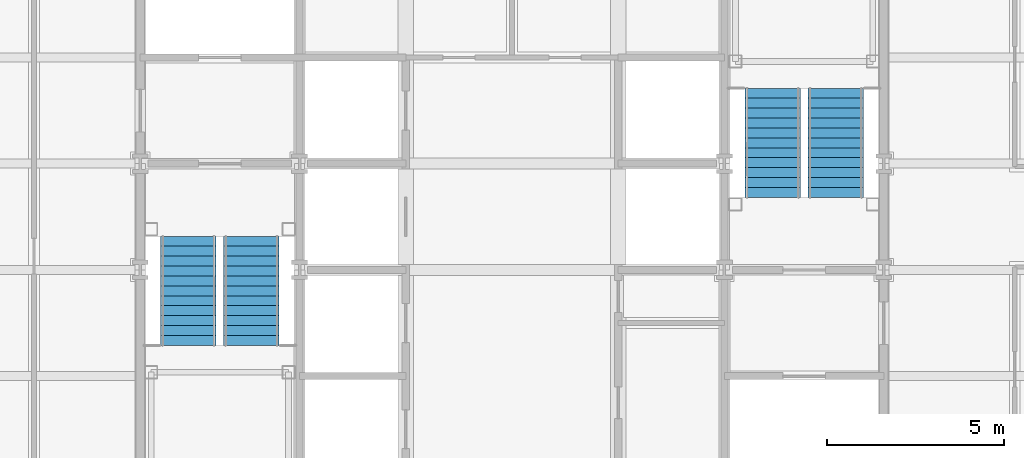
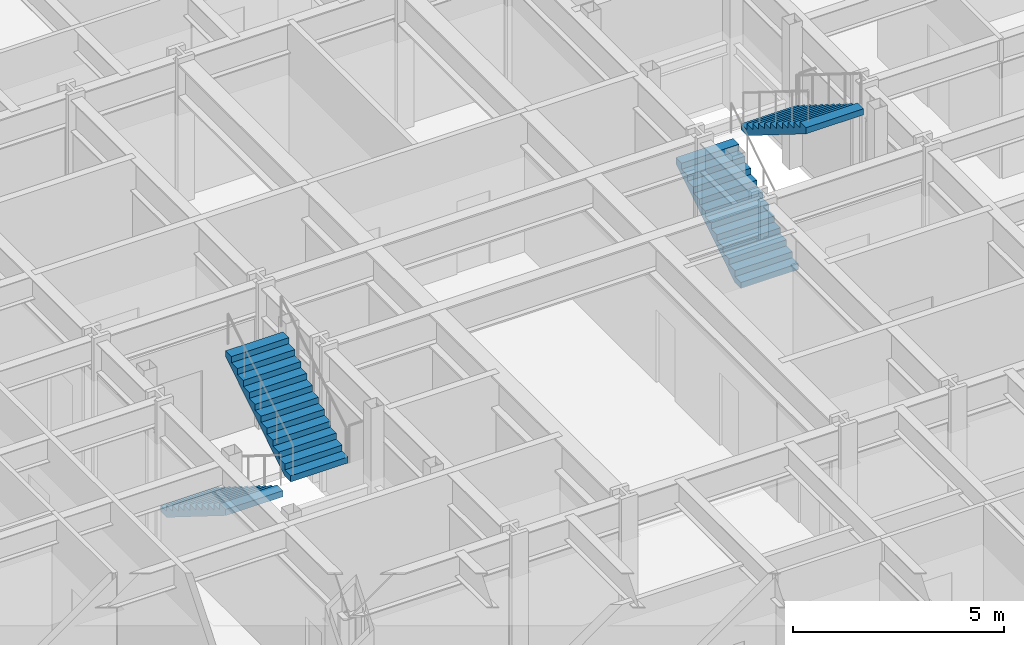
# One storey, part 13 of 15: 4 stair flights, 2 elements without a shape of their own.
"""IFC4 building model written with IfcOpenShell, lengths in metres."""

from ifc_helpers import new_model, si_unit, direction, frame, origin, place, context, subcontext, project, spatial, faceted_brep, material, type_object, element, aggregate, save


model = new_model("IFC4")

# Units and contexts
model_context = context("Model", 3, precision=1e-05, world=origin(), true_north=direction((0.0, 1.0)))
body_context = subcontext(model_context, "Body", "Model", "MODEL_VIEW")
ifc_project = project(units=[si_unit("LENGTHUNIT", "METRE"), si_unit("AREAUNIT", "SQUARE_METRE"), si_unit("VOLUMEUNIT", "CUBIC_METRE"), si_unit("PLANEANGLEUNIT", "RADIAN"), si_unit("MASSUNIT", "GRAM", prefix="KILO")], contexts=[model_context])

# Site, building, storey
site_placement = place(None, origin())
site = spatial("IfcSite", under=ifc_project, at=site_placement, CompositionType="ELEMENT")
building_placement = place(site_placement, origin())
building = spatial("IfcBuilding", under=site, at=building_placement, Name="Chuquiago Exchange Tower", CompositionType="ELEMENT")
storey_placement = place(building_placement, frame((0.0, 0.0, 274.800048828125)))
storey = spatial("IfcBuildingStorey", under=building, at=storey_placement, Name="L61", CompositionType="ELEMENT", Elevation=274.800048828125)

# Stair, stair flights
ifc_material_1 = material(Name="Concrete C30/37, precast", Category="concrete")
stair_type_1 = type_object("IfcStairType", Name="ST1 half-turn stair 4200", PredefinedType="HALF_TURN_STAIR", material=ifc_material_1)
stair_1_placement = place(storey_placement, origin())
stair_1 = element("IfcStair", 1, at=stair_1_placement, inside=storey, type_object=stair_type_1, Name="Stair ST1 L61", PredefinedType="HALF_TURN_STAIR")
ifc_material_2 = material(Name="Concrete C30/37, precast", Category="concrete")
stair_flight_type = type_object("IfcStairFlightType", Name="ST-F flight 1570 for 4200 storey", PredefinedType="STRAIGHT", material=ifc_material_2)
stair_flight_1_placement = place(storey_placement, frame((13.360107421875, 21.949951171875, 0.0), z_axis=(0.0, 0.0, 1.0), x_axis=(0.0, -1.0, 0.0)))
stair_flight_1 = element("IfcStairFlight", 2, at=stair_flight_1_placement, type_object=stair_flight_type, Name="ST1 flight 1", NumberOfRisers=12, NumberOfTreads=11, PredefinedType="STRAIGHT", RiserHeight=0.175, TreadLength=0.28, context=body_context, shape_type="Brep", body=[
    faceted_brep([(0.0, 0.78515625, 0.0), (0.0, 0.78515625, 0.175048828125), (0.280029296875, 0.78515625, 0.175048828125), (0.280029296875, 0.78515625, 0.35009765625), (0.56005859375, 0.78515625, 0.35009765625), (0.56005859375, 0.78515625, 0.52490234375), (0.840087890625, 0.78515625, 0.52490234375), (0.840087890625, 0.78515625, 0.699951171875), (1.1201171875, 0.78515625, 0.699951171875), (1.1201171875, 0.78515625, 0.875), (1.39990234375, 0.78515625, 0.875), (1.39990234375, 0.78515625, 1.050048828125), (1.679931640625, 0.78515625, 1.050048828125), (1.679931640625, 0.78515625, 1.22509765625), (1.9599609375, 0.78515625, 1.22509765625), (1.9599609375, 0.78515625, 1.39990234375), (2.239990234375, 0.78515625, 1.39990234375), (2.239990234375, 0.78515625, 1.574951171875), (2.52001953125, 0.78515625, 1.574951171875), (2.52001953125, 0.78515625, 1.75), (2.800048828125, 0.78515625, 1.75), (2.800048828125, 0.78515625, 1.925048828125), (3.080078125, 0.78515625, 1.925048828125), (3.080078125, 0.78515625, 1.748291015625), (0.28271484375, 0.78515625, 0.0), (0.28271484375, -0.78515625, 0.0), (3.080078125, -0.78515625, 1.748291015625), (3.080078125, -0.78515625, 1.925048828125), (2.800048828125, -0.78515625, 1.925048828125), (2.800048828125, -0.78515625, 1.75), (2.52001953125, -0.78515625, 1.75), (2.52001953125, -0.78515625, 1.574951171875), (2.239990234375, -0.78515625, 1.574951171875), (2.239990234375, -0.78515625, 1.39990234375), (1.9599609375, -0.78515625, 1.39990234375), (1.9599609375, -0.78515625, 1.22509765625), (1.679931640625, -0.78515625, 1.22509765625), (1.679931640625, -0.78515625, 1.050048828125), (1.39990234375, -0.78515625, 1.050048828125), (1.39990234375, -0.78515625, 0.875), (1.1201171875, -0.78515625, 0.875), (1.1201171875, -0.78515625, 0.699951171875), (0.840087890625, -0.78515625, 0.699951171875), (0.840087890625, -0.78515625, 0.52490234375), (0.56005859375, -0.78515625, 0.52490234375), (0.56005859375, -0.78515625, 0.35009765625), (0.280029296875, -0.78515625, 0.35009765625), (0.280029296875, -0.78515625, 0.175048828125), (0.0, -0.78515625, 0.175048828125), (0.0, -0.78515625, 0.0), (0.0, 0.392578125, 0.0), (0.0, 0.392578125, 0.175048828125), (0.0, 0.0, 0.0), (0.0, 0.0, 0.175048828125), (0.0, -0.392578125, 0.0), (0.0, -0.392578125, 0.175048828125), (0.280029296875, 0.392578125, 0.175048828125), (0.280029296875, 0.0, 0.175048828125), (0.280029296875, -0.392578125, 0.175048828125), (0.280029296875, 0.392578125, 0.35009765625), (0.280029296875, 0.0, 0.35009765625), (0.280029296875, -0.392578125, 0.35009765625), (0.56005859375, 0.392578125, 0.35009765625), (0.56005859375, 0.0, 0.35009765625), (0.56005859375, -0.392578125, 0.35009765625), (0.56005859375, 0.392578125, 0.52490234375), (0.56005859375, 0.0, 0.52490234375), (0.56005859375, -0.392578125, 0.52490234375), (0.840087890625, 0.392578125, 0.52490234375), (0.840087890625, 0.0, 0.52490234375), (0.840087890625, -0.392578125, 0.52490234375), (0.840087890625, 0.392578125, 0.699951171875), (0.840087890625, 0.0, 0.699951171875), (0.840087890625, -0.392578125, 0.699951171875), (1.1201171875, 0.392578125, 0.699951171875), (1.1201171875, 0.0, 0.699951171875), (1.1201171875, -0.392578125, 0.699951171875), (1.1201171875, 0.392578125, 0.875), (1.1201171875, 0.0, 0.875), (1.1201171875, -0.392578125, 0.875), (1.39990234375, 0.392578125, 0.875), (1.39990234375, 0.0, 0.875), (1.39990234375, -0.392578125, 0.875), (1.39990234375, 0.392578125, 1.050048828125), (1.39990234375, 0.0, 1.050048828125), (1.39990234375, -0.392578125, 1.050048828125), (1.679931640625, 0.392578125, 1.050048828125), (1.679931640625, 0.0, 1.050048828125), (1.679931640625, -0.392578125, 1.050048828125), (1.679931640625, 0.392578125, 1.22509765625), (1.679931640625, 0.0, 1.22509765625), (1.679931640625, -0.392578125, 1.22509765625), (1.9599609375, 0.392578125, 1.22509765625), (1.9599609375, 0.0, 1.22509765625), (1.9599609375, -0.392578125, 1.22509765625), (1.9599609375, 0.392578125, 1.39990234375), (1.9599609375, 0.0, 1.39990234375), (1.9599609375, -0.392578125, 1.39990234375), (2.239990234375, 0.392578125, 1.39990234375), (2.239990234375, 0.0, 1.39990234375), (2.239990234375, -0.392578125, 1.39990234375), (2.239990234375, 0.392578125, 1.574951171875), (2.239990234375, 0.0, 1.574951171875), (2.239990234375, -0.392578125, 1.574951171875), (2.52001953125, 0.392578125, 1.574951171875), (2.52001953125, 0.0, 1.574951171875), (2.52001953125, -0.392578125, 1.574951171875), (2.52001953125, 0.392578125, 1.75), (2.52001953125, 0.0, 1.75), (2.52001953125, -0.392578125, 1.75), (2.800048828125, 0.392578125, 1.75), (2.800048828125, 0.0, 1.75), (2.800048828125, -0.392578125, 1.75), (2.800048828125, 0.392578125, 1.925048828125), (2.800048828125, 0.0, 1.925048828125), (2.800048828125, -0.392578125, 1.925048828125), (3.080078125, 0.392578125, 1.925048828125), (3.080078125, 0.0, 1.925048828125), (3.080078125, -0.392578125, 1.925048828125), (3.080078125, 0.392578125, 1.748291015625), (3.080078125, 0.0, 1.748291015625), (3.080078125, -0.392578125, 1.748291015625), (0.28271484375, 0.392578125, 0.0), (0.28271484375, 0.0, 0.0), (0.28271484375, -0.392578125, 0.0)], [[[0, 1, 2, 3, 4, 5, 6, 7, 8, 9, 10, 11, 12, 13, 14, 15, 16, 17, 18, 19, 20, 21, 22, 23, 24]], [[25, 26, 27, 28, 29, 30, 31, 32, 33, 34, 35, 36, 37, 38, 39, 40, 41, 42, 43, 44, 45, 46, 47, 48, 49]], [[1, 0, 50, 51]], [[51, 50, 52, 53]], [[53, 52, 54, 55]], [[55, 54, 49, 48]], [[2, 1, 51, 56]], [[56, 51, 53, 57]], [[57, 53, 55, 58]], [[58, 55, 48, 47]], [[3, 2, 56, 59]], [[59, 56, 57, 60]], [[60, 57, 58, 61]], [[61, 58, 47, 46]], [[4, 3, 59, 62]], [[62, 59, 60, 63]], [[63, 60, 61, 64]], [[64, 61, 46, 45]], [[5, 4, 62, 65]], [[65, 62, 63, 66]], [[66, 63, 64, 67]], [[67, 64, 45, 44]], [[6, 5, 65, 68]], [[68, 65, 66, 69]], [[69, 66, 67, 70]], [[70, 67, 44, 43]], [[7, 6, 68, 71]], [[71, 68, 69, 72]], [[72, 69, 70, 73]], [[73, 70, 43, 42]], [[8, 7, 71, 74]], [[74, 71, 72, 75]], [[75, 72, 73, 76]], [[76, 73, 42, 41]], [[9, 8, 74, 77]], [[77, 74, 75, 78]], [[78, 75, 76, 79]], [[79, 76, 41, 40]], [[10, 9, 77, 80]], [[80, 77, 78, 81]], [[81, 78, 79, 82]], [[82, 79, 40, 39]], [[11, 10, 80, 83]], [[83, 80, 81, 84]], [[84, 81, 82, 85]], [[85, 82, 39, 38]], [[12, 11, 83, 86]], [[86, 83, 84, 87]], [[87, 84, 85, 88]], [[88, 85, 38, 37]], [[13, 12, 86, 89]], [[89, 86, 87, 90]], [[90, 87, 88, 91]], [[91, 88, 37, 36]], [[14, 13, 89, 92]], [[92, 89, 90, 93]], [[93, 90, 91, 94]], [[94, 91, 36, 35]], [[15, 14, 92, 95]], [[95, 92, 93, 96]], [[96, 93, 94, 97]], [[97, 94, 35, 34]], [[16, 15, 95, 98]], [[98, 95, 96, 99]], [[99, 96, 97, 100]], [[100, 97, 34, 33]], [[17, 16, 98, 101]], [[101, 98, 99, 102]], [[102, 99, 100, 103]], [[103, 100, 33, 32]], [[18, 17, 101, 104]], [[104, 101, 102, 105]], [[105, 102, 103, 106]], [[106, 103, 32, 31]], [[19, 18, 104, 107]], [[107, 104, 105, 108]], [[108, 105, 106, 109]], [[109, 106, 31, 30]], [[20, 19, 107, 110]], [[110, 107, 108, 111]], [[111, 108, 109, 112]], [[112, 109, 30, 29]], [[21, 20, 110, 113]], [[113, 110, 111, 114]], [[114, 111, 112, 115]], [[115, 112, 29, 28]], [[22, 21, 113, 116]], [[116, 113, 114, 117]], [[117, 114, 115, 118]], [[118, 115, 28, 27]], [[23, 22, 116, 119]], [[119, 116, 117, 120]], [[120, 117, 118, 121]], [[121, 118, 27, 26]], [[24, 23, 119, 122]], [[122, 119, 120, 123]], [[123, 120, 121, 124]], [[124, 121, 26, 25]], [[0, 24, 122, 50]], [[50, 122, 123, 52]], [[52, 123, 124, 54]], [[54, 124, 25, 49]]]),
])
stair_flight_2_placement = place(storey_placement, frame((15.139892578125, 18.8701171875, 2.099853515625), z_axis=(0.0, 0.0, 1.0), x_axis=(0.0, 1.0, 0.0)))
stair_flight_2 = element("IfcStairFlight", 3, at=stair_flight_2_placement, type_object=stair_flight_type, Name="ST1 flight 2", NumberOfRisers=12, NumberOfTreads=11, PredefinedType="STRAIGHT", RiserHeight=0.175, TreadLength=0.28, context=body_context, shape_type="Brep", body=[
    faceted_brep([(0.0, 0.78515625, 0.0), (0.0, 0.78515625, 0.175048828125), (0.280029296875, 0.78515625, 0.175048828125), (0.280029296875, 0.78515625, 0.35009765625), (0.56005859375, 0.78515625, 0.35009765625), (0.56005859375, 0.78515625, 0.52490234375), (0.840087890625, 0.78515625, 0.52490234375), (0.840087890625, 0.78515625, 0.699951171875), (1.1201171875, 0.78515625, 0.699951171875), (1.1201171875, 0.78515625, 0.875), (1.39990234375, 0.78515625, 0.875), (1.39990234375, 0.78515625, 1.050048828125), (1.679931640625, 0.78515625, 1.050048828125), (1.679931640625, 0.78515625, 1.22509765625), (1.9599609375, 0.78515625, 1.22509765625), (1.9599609375, 0.78515625, 1.39990234375), (2.239990234375, 0.78515625, 1.39990234375), (2.239990234375, 0.78515625, 1.574951171875), (2.52001953125, 0.78515625, 1.574951171875), (2.52001953125, 0.78515625, 1.75), (2.800048828125, 0.78515625, 1.75), (2.800048828125, 0.78515625, 1.925048828125), (3.080078125, 0.78515625, 1.925048828125), (3.080078125, 0.78515625, 1.748291015625), (0.28271484375, 0.78515625, 0.0), (0.28271484375, -0.78515625, 0.0), (3.080078125, -0.78515625, 1.748291015625), (3.080078125, -0.78515625, 1.925048828125), (2.800048828125, -0.78515625, 1.925048828125), (2.800048828125, -0.78515625, 1.75), (2.52001953125, -0.78515625, 1.75), (2.52001953125, -0.78515625, 1.574951171875), (2.239990234375, -0.78515625, 1.574951171875), (2.239990234375, -0.78515625, 1.39990234375), (1.9599609375, -0.78515625, 1.39990234375), (1.9599609375, -0.78515625, 1.22509765625), (1.679931640625, -0.78515625, 1.22509765625), (1.679931640625, -0.78515625, 1.050048828125), (1.39990234375, -0.78515625, 1.050048828125), (1.39990234375, -0.78515625, 0.875), (1.1201171875, -0.78515625, 0.875), (1.1201171875, -0.78515625, 0.699951171875), (0.840087890625, -0.78515625, 0.699951171875), (0.840087890625, -0.78515625, 0.52490234375), (0.56005859375, -0.78515625, 0.52490234375), (0.56005859375, -0.78515625, 0.35009765625), (0.280029296875, -0.78515625, 0.35009765625), (0.280029296875, -0.78515625, 0.175048828125), (0.0, -0.78515625, 0.175048828125), (0.0, -0.78515625, 0.0), (0.0, 0.392578125, 0.0), (0.0, 0.392578125, 0.175048828125), (0.0, 0.0, 0.0), (0.0, 0.0, 0.175048828125), (0.0, -0.392578125, 0.0), (0.0, -0.392578125, 0.175048828125), (0.280029296875, 0.392578125, 0.175048828125), (0.280029296875, 0.0, 0.175048828125), (0.280029296875, -0.392578125, 0.175048828125), (0.280029296875, 0.392578125, 0.35009765625), (0.280029296875, 0.0, 0.35009765625), (0.280029296875, -0.392578125, 0.35009765625), (0.56005859375, 0.392578125, 0.35009765625), (0.56005859375, 0.0, 0.35009765625), (0.56005859375, -0.392578125, 0.35009765625), (0.56005859375, 0.392578125, 0.52490234375), (0.56005859375, 0.0, 0.52490234375), (0.56005859375, -0.392578125, 0.52490234375), (0.840087890625, 0.392578125, 0.52490234375), (0.840087890625, 0.0, 0.52490234375), (0.840087890625, -0.392578125, 0.52490234375), (0.840087890625, 0.392578125, 0.699951171875), (0.840087890625, 0.0, 0.699951171875), (0.840087890625, -0.392578125, 0.699951171875), (1.1201171875, 0.392578125, 0.699951171875), (1.1201171875, 0.0, 0.699951171875), (1.1201171875, -0.392578125, 0.699951171875), (1.1201171875, 0.392578125, 0.875), (1.1201171875, 0.0, 0.875), (1.1201171875, -0.392578125, 0.875), (1.39990234375, 0.392578125, 0.875), (1.39990234375, 0.0, 0.875), (1.39990234375, -0.392578125, 0.875), (1.39990234375, 0.392578125, 1.050048828125), (1.39990234375, 0.0, 1.050048828125), (1.39990234375, -0.392578125, 1.050048828125), (1.679931640625, 0.392578125, 1.050048828125), (1.679931640625, 0.0, 1.050048828125), (1.679931640625, -0.392578125, 1.050048828125), (1.679931640625, 0.392578125, 1.22509765625), (1.679931640625, 0.0, 1.22509765625), (1.679931640625, -0.392578125, 1.22509765625), (1.9599609375, 0.392578125, 1.22509765625), (1.9599609375, 0.0, 1.22509765625), (1.9599609375, -0.392578125, 1.22509765625), (1.9599609375, 0.392578125, 1.39990234375), (1.9599609375, 0.0, 1.39990234375), (1.9599609375, -0.392578125, 1.39990234375), (2.239990234375, 0.392578125, 1.39990234375), (2.239990234375, 0.0, 1.39990234375), (2.239990234375, -0.392578125, 1.39990234375), (2.239990234375, 0.392578125, 1.574951171875), (2.239990234375, 0.0, 1.574951171875), (2.239990234375, -0.392578125, 1.574951171875), (2.52001953125, 0.392578125, 1.574951171875), (2.52001953125, 0.0, 1.574951171875), (2.52001953125, -0.392578125, 1.574951171875), (2.52001953125, 0.392578125, 1.75), (2.52001953125, 0.0, 1.75), (2.52001953125, -0.392578125, 1.75), (2.800048828125, 0.392578125, 1.75), (2.800048828125, 0.0, 1.75), (2.800048828125, -0.392578125, 1.75), (2.800048828125, 0.392578125, 1.925048828125), (2.800048828125, 0.0, 1.925048828125), (2.800048828125, -0.392578125, 1.925048828125), (3.080078125, 0.392578125, 1.925048828125), (3.080078125, 0.0, 1.925048828125), (3.080078125, -0.392578125, 1.925048828125), (3.080078125, 0.392578125, 1.748291015625), (3.080078125, 0.0, 1.748291015625), (3.080078125, -0.392578125, 1.748291015625), (0.28271484375, 0.392578125, 0.0), (0.28271484375, 0.0, 0.0), (0.28271484375, -0.392578125, 0.0)], [[[0, 1, 2, 3, 4, 5, 6, 7, 8, 9, 10, 11, 12, 13, 14, 15, 16, 17, 18, 19, 20, 21, 22, 23, 24]], [[25, 26, 27, 28, 29, 30, 31, 32, 33, 34, 35, 36, 37, 38, 39, 40, 41, 42, 43, 44, 45, 46, 47, 48, 49]], [[1, 0, 50, 51]], [[51, 50, 52, 53]], [[53, 52, 54, 55]], [[55, 54, 49, 48]], [[2, 1, 51, 56]], [[56, 51, 53, 57]], [[57, 53, 55, 58]], [[58, 55, 48, 47]], [[3, 2, 56, 59]], [[59, 56, 57, 60]], [[60, 57, 58, 61]], [[61, 58, 47, 46]], [[4, 3, 59, 62]], [[62, 59, 60, 63]], [[63, 60, 61, 64]], [[64, 61, 46, 45]], [[5, 4, 62, 65]], [[65, 62, 63, 66]], [[66, 63, 64, 67]], [[67, 64, 45, 44]], [[6, 5, 65, 68]], [[68, 65, 66, 69]], [[69, 66, 67, 70]], [[70, 67, 44, 43]], [[7, 6, 68, 71]], [[71, 68, 69, 72]], [[72, 69, 70, 73]], [[73, 70, 43, 42]], [[8, 7, 71, 74]], [[74, 71, 72, 75]], [[75, 72, 73, 76]], [[76, 73, 42, 41]], [[9, 8, 74, 77]], [[77, 74, 75, 78]], [[78, 75, 76, 79]], [[79, 76, 41, 40]], [[10, 9, 77, 80]], [[80, 77, 78, 81]], [[81, 78, 79, 82]], [[82, 79, 40, 39]], [[11, 10, 80, 83]], [[83, 80, 81, 84]], [[84, 81, 82, 85]], [[85, 82, 39, 38]], [[12, 11, 83, 86]], [[86, 83, 84, 87]], [[87, 84, 85, 88]], [[88, 85, 38, 37]], [[13, 12, 86, 89]], [[89, 86, 87, 90]], [[90, 87, 88, 91]], [[91, 88, 37, 36]], [[14, 13, 89, 92]], [[92, 89, 90, 93]], [[93, 90, 91, 94]], [[94, 91, 36, 35]], [[15, 14, 92, 95]], [[95, 92, 93, 96]], [[96, 93, 94, 97]], [[97, 94, 35, 34]], [[16, 15, 95, 98]], [[98, 95, 96, 99]], [[99, 96, 97, 100]], [[100, 97, 34, 33]], [[17, 16, 98, 101]], [[101, 98, 99, 102]], [[102, 99, 100, 103]], [[103, 100, 33, 32]], [[18, 17, 101, 104]], [[104, 101, 102, 105]], [[105, 102, 103, 106]], [[106, 103, 32, 31]], [[19, 18, 104, 107]], [[107, 104, 105, 108]], [[108, 105, 106, 109]], [[109, 106, 31, 30]], [[20, 19, 107, 110]], [[110, 107, 108, 111]], [[111, 108, 109, 112]], [[112, 109, 30, 29]], [[21, 20, 110, 113]], [[113, 110, 111, 114]], [[114, 111, 112, 115]], [[115, 112, 29, 28]], [[22, 21, 113, 116]], [[116, 113, 114, 117]], [[117, 114, 115, 118]], [[118, 115, 28, 27]], [[23, 22, 116, 119]], [[119, 116, 117, 120]], [[120, 117, 118, 121]], [[121, 118, 27, 26]], [[24, 23, 119, 122]], [[122, 119, 120, 123]], [[123, 120, 121, 124]], [[124, 121, 26, 25]], [[0, 24, 122, 50]], [[50, 122, 123, 52]], [[52, 123, 124, 54]], [[54, 124, 25, 49]]]),
])
aggregate(stair_1, [stair_flight_1, stair_flight_2])

ifc_material_3 = material(Name="Concrete C30/37, precast", Category="concrete")
stair_type_2 = type_object("IfcStairType", Name="ST2 half-turn stair 4200", PredefinedType="HALF_TURN_STAIR", material=ifc_material_3)
stair_2_placement = place(storey_placement, origin())
stair_2 = element("IfcStair", 4, at=stair_2_placement, inside=storey, type_object=stair_type_2, Name="Stair ST2 L61", PredefinedType="HALF_TURN_STAIR")
stair_flight_3_placement = place(storey_placement, frame((29.860107421875, 23.050048828125, 0.0), z_axis=(0.0, 0.0, 1.0), x_axis=(0.0, 1.0, 0.0)))
stair_flight_3 = element("IfcStairFlight", 5, at=stair_flight_3_placement, type_object=stair_flight_type, Name="ST2 flight 1", NumberOfRisers=12, NumberOfTreads=11, PredefinedType="STRAIGHT", RiserHeight=0.175, TreadLength=0.28, context=body_context, shape_type="Brep", body=[
    faceted_brep([(0.0, 0.78515625, 0.0), (0.0, 0.78515625, 0.175048828125), (0.280029296875, 0.78515625, 0.175048828125), (0.280029296875, 0.78515625, 0.35009765625), (0.56005859375, 0.78515625, 0.35009765625), (0.56005859375, 0.78515625, 0.52490234375), (0.840087890625, 0.78515625, 0.52490234375), (0.840087890625, 0.78515625, 0.699951171875), (1.1201171875, 0.78515625, 0.699951171875), (1.1201171875, 0.78515625, 0.875), (1.39990234375, 0.78515625, 0.875), (1.39990234375, 0.78515625, 1.050048828125), (1.679931640625, 0.78515625, 1.050048828125), (1.679931640625, 0.78515625, 1.22509765625), (1.9599609375, 0.78515625, 1.22509765625), (1.9599609375, 0.78515625, 1.39990234375), (2.239990234375, 0.78515625, 1.39990234375), (2.239990234375, 0.78515625, 1.574951171875), (2.52001953125, 0.78515625, 1.574951171875), (2.52001953125, 0.78515625, 1.75), (2.800048828125, 0.78515625, 1.75), (2.800048828125, 0.78515625, 1.925048828125), (3.080078125, 0.78515625, 1.925048828125), (3.080078125, 0.78515625, 1.748291015625), (0.28271484375, 0.78515625, 0.0), (0.28271484375, -0.78515625, 0.0), (3.080078125, -0.78515625, 1.748291015625), (3.080078125, -0.78515625, 1.925048828125), (2.800048828125, -0.78515625, 1.925048828125), (2.800048828125, -0.78515625, 1.75), (2.52001953125, -0.78515625, 1.75), (2.52001953125, -0.78515625, 1.574951171875), (2.239990234375, -0.78515625, 1.574951171875), (2.239990234375, -0.78515625, 1.39990234375), (1.9599609375, -0.78515625, 1.39990234375), (1.9599609375, -0.78515625, 1.22509765625), (1.679931640625, -0.78515625, 1.22509765625), (1.679931640625, -0.78515625, 1.050048828125), (1.39990234375, -0.78515625, 1.050048828125), (1.39990234375, -0.78515625, 0.875), (1.1201171875, -0.78515625, 0.875), (1.1201171875, -0.78515625, 0.699951171875), (0.840087890625, -0.78515625, 0.699951171875), (0.840087890625, -0.78515625, 0.52490234375), (0.56005859375, -0.78515625, 0.52490234375), (0.56005859375, -0.78515625, 0.35009765625), (0.280029296875, -0.78515625, 0.35009765625), (0.280029296875, -0.78515625, 0.175048828125), (0.0, -0.78515625, 0.175048828125), (0.0, -0.78515625, 0.0), (0.0, 0.392578125, 0.0), (0.0, 0.392578125, 0.175048828125), (0.0, 0.0, 0.0), (0.0, 0.0, 0.175048828125), (0.0, -0.392578125, 0.0), (0.0, -0.392578125, 0.175048828125), (0.280029296875, 0.392578125, 0.175048828125), (0.280029296875, 0.0, 0.175048828125), (0.280029296875, -0.392578125, 0.175048828125), (0.280029296875, 0.392578125, 0.35009765625), (0.280029296875, 0.0, 0.35009765625), (0.280029296875, -0.392578125, 0.35009765625), (0.56005859375, 0.392578125, 0.35009765625), (0.56005859375, 0.0, 0.35009765625), (0.56005859375, -0.392578125, 0.35009765625), (0.56005859375, 0.392578125, 0.52490234375), (0.56005859375, 0.0, 0.52490234375), (0.56005859375, -0.392578125, 0.52490234375), (0.840087890625, 0.392578125, 0.52490234375), (0.840087890625, 0.0, 0.52490234375), (0.840087890625, -0.392578125, 0.52490234375), (0.840087890625, 0.392578125, 0.699951171875), (0.840087890625, 0.0, 0.699951171875), (0.840087890625, -0.392578125, 0.699951171875), (1.1201171875, 0.392578125, 0.699951171875), (1.1201171875, 0.0, 0.699951171875), (1.1201171875, -0.392578125, 0.699951171875), (1.1201171875, 0.392578125, 0.875), (1.1201171875, 0.0, 0.875), (1.1201171875, -0.392578125, 0.875), (1.39990234375, 0.392578125, 0.875), (1.39990234375, 0.0, 0.875), (1.39990234375, -0.392578125, 0.875), (1.39990234375, 0.392578125, 1.050048828125), (1.39990234375, 0.0, 1.050048828125), (1.39990234375, -0.392578125, 1.050048828125), (1.679931640625, 0.392578125, 1.050048828125), (1.679931640625, 0.0, 1.050048828125), (1.679931640625, -0.392578125, 1.050048828125), (1.679931640625, 0.392578125, 1.22509765625), (1.679931640625, 0.0, 1.22509765625), (1.679931640625, -0.392578125, 1.22509765625), (1.9599609375, 0.392578125, 1.22509765625), (1.9599609375, 0.0, 1.22509765625), (1.9599609375, -0.392578125, 1.22509765625), (1.9599609375, 0.392578125, 1.39990234375), (1.9599609375, 0.0, 1.39990234375), (1.9599609375, -0.392578125, 1.39990234375), (2.239990234375, 0.392578125, 1.39990234375), (2.239990234375, 0.0, 1.39990234375), (2.239990234375, -0.392578125, 1.39990234375), (2.239990234375, 0.392578125, 1.574951171875), (2.239990234375, 0.0, 1.574951171875), (2.239990234375, -0.392578125, 1.574951171875), (2.52001953125, 0.392578125, 1.574951171875), (2.52001953125, 0.0, 1.574951171875), (2.52001953125, -0.392578125, 1.574951171875), (2.52001953125, 0.392578125, 1.75), (2.52001953125, 0.0, 1.75), (2.52001953125, -0.392578125, 1.75), (2.800048828125, 0.392578125, 1.75), (2.800048828125, 0.0, 1.75), (2.800048828125, -0.392578125, 1.75), (2.800048828125, 0.392578125, 1.925048828125), (2.800048828125, 0.0, 1.925048828125), (2.800048828125, -0.392578125, 1.925048828125), (3.080078125, 0.392578125, 1.925048828125), (3.080078125, 0.0, 1.925048828125), (3.080078125, -0.392578125, 1.925048828125), (3.080078125, 0.392578125, 1.748291015625), (3.080078125, 0.0, 1.748291015625), (3.080078125, -0.392578125, 1.748291015625), (0.28271484375, 0.392578125, 0.0), (0.28271484375, 0.0, 0.0), (0.28271484375, -0.392578125, 0.0)], [[[0, 1, 2, 3, 4, 5, 6, 7, 8, 9, 10, 11, 12, 13, 14, 15, 16, 17, 18, 19, 20, 21, 22, 23, 24]], [[25, 26, 27, 28, 29, 30, 31, 32, 33, 34, 35, 36, 37, 38, 39, 40, 41, 42, 43, 44, 45, 46, 47, 48, 49]], [[1, 0, 50, 51]], [[51, 50, 52, 53]], [[53, 52, 54, 55]], [[55, 54, 49, 48]], [[2, 1, 51, 56]], [[56, 51, 53, 57]], [[57, 53, 55, 58]], [[58, 55, 48, 47]], [[3, 2, 56, 59]], [[59, 56, 57, 60]], [[60, 57, 58, 61]], [[61, 58, 47, 46]], [[4, 3, 59, 62]], [[62, 59, 60, 63]], [[63, 60, 61, 64]], [[64, 61, 46, 45]], [[5, 4, 62, 65]], [[65, 62, 63, 66]], [[66, 63, 64, 67]], [[67, 64, 45, 44]], [[6, 5, 65, 68]], [[68, 65, 66, 69]], [[69, 66, 67, 70]], [[70, 67, 44, 43]], [[7, 6, 68, 71]], [[71, 68, 69, 72]], [[72, 69, 70, 73]], [[73, 70, 43, 42]], [[8, 7, 71, 74]], [[74, 71, 72, 75]], [[75, 72, 73, 76]], [[76, 73, 42, 41]], [[9, 8, 74, 77]], [[77, 74, 75, 78]], [[78, 75, 76, 79]], [[79, 76, 41, 40]], [[10, 9, 77, 80]], [[80, 77, 78, 81]], [[81, 78, 79, 82]], [[82, 79, 40, 39]], [[11, 10, 80, 83]], [[83, 80, 81, 84]], [[84, 81, 82, 85]], [[85, 82, 39, 38]], [[12, 11, 83, 86]], [[86, 83, 84, 87]], [[87, 84, 85, 88]], [[88, 85, 38, 37]], [[13, 12, 86, 89]], [[89, 86, 87, 90]], [[90, 87, 88, 91]], [[91, 88, 37, 36]], [[14, 13, 89, 92]], [[92, 89, 90, 93]], [[93, 90, 91, 94]], [[94, 91, 36, 35]], [[15, 14, 92, 95]], [[95, 92, 93, 96]], [[96, 93, 94, 97]], [[97, 94, 35, 34]], [[16, 15, 95, 98]], [[98, 95, 96, 99]], [[99, 96, 97, 100]], [[100, 97, 34, 33]], [[17, 16, 98, 101]], [[101, 98, 99, 102]], [[102, 99, 100, 103]], [[103, 100, 33, 32]], [[18, 17, 101, 104]], [[104, 101, 102, 105]], [[105, 102, 103, 106]], [[106, 103, 32, 31]], [[19, 18, 104, 107]], [[107, 104, 105, 108]], [[108, 105, 106, 109]], [[109, 106, 31, 30]], [[20, 19, 107, 110]], [[110, 107, 108, 111]], [[111, 108, 109, 112]], [[112, 109, 30, 29]], [[21, 20, 110, 113]], [[113, 110, 111, 114]], [[114, 111, 112, 115]], [[115, 112, 29, 28]], [[22, 21, 113, 116]], [[116, 113, 114, 117]], [[117, 114, 115, 118]], [[118, 115, 28, 27]], [[23, 22, 116, 119]], [[119, 116, 117, 120]], [[120, 117, 118, 121]], [[121, 118, 27, 26]], [[24, 23, 119, 122]], [[122, 119, 120, 123]], [[123, 120, 121, 124]], [[124, 121, 26, 25]], [[0, 24, 122, 50]], [[50, 122, 123, 52]], [[52, 123, 124, 54]], [[54, 124, 25, 49]]]),
])
stair_flight_4_placement = place(storey_placement, frame((31.639892578125, 26.1298828125, 2.099853515625), z_axis=(0.0, 0.0, 1.0), x_axis=(0.0, -1.0, 0.0)))
stair_flight_4 = element("IfcStairFlight", 6, at=stair_flight_4_placement, type_object=stair_flight_type, Name="ST2 flight 2", NumberOfRisers=12, NumberOfTreads=11, PredefinedType="STRAIGHT", RiserHeight=0.175, TreadLength=0.28, context=body_context, shape_type="Brep", body=[
    faceted_brep([(0.0, 0.78515625, 0.0), (0.0, 0.78515625, 0.175048828125), (0.280029296875, 0.78515625, 0.175048828125), (0.280029296875, 0.78515625, 0.35009765625), (0.56005859375, 0.78515625, 0.35009765625), (0.56005859375, 0.78515625, 0.52490234375), (0.840087890625, 0.78515625, 0.52490234375), (0.840087890625, 0.78515625, 0.699951171875), (1.1201171875, 0.78515625, 0.699951171875), (1.1201171875, 0.78515625, 0.875), (1.39990234375, 0.78515625, 0.875), (1.39990234375, 0.78515625, 1.050048828125), (1.679931640625, 0.78515625, 1.050048828125), (1.679931640625, 0.78515625, 1.22509765625), (1.9599609375, 0.78515625, 1.22509765625), (1.9599609375, 0.78515625, 1.39990234375), (2.239990234375, 0.78515625, 1.39990234375), (2.239990234375, 0.78515625, 1.574951171875), (2.52001953125, 0.78515625, 1.574951171875), (2.52001953125, 0.78515625, 1.75), (2.800048828125, 0.78515625, 1.75), (2.800048828125, 0.78515625, 1.925048828125), (3.080078125, 0.78515625, 1.925048828125), (3.080078125, 0.78515625, 1.748291015625), (0.28271484375, 0.78515625, 0.0), (0.28271484375, -0.78515625, 0.0), (3.080078125, -0.78515625, 1.748291015625), (3.080078125, -0.78515625, 1.925048828125), (2.800048828125, -0.78515625, 1.925048828125), (2.800048828125, -0.78515625, 1.75), (2.52001953125, -0.78515625, 1.75), (2.52001953125, -0.78515625, 1.574951171875), (2.239990234375, -0.78515625, 1.574951171875), (2.239990234375, -0.78515625, 1.39990234375), (1.9599609375, -0.78515625, 1.39990234375), (1.9599609375, -0.78515625, 1.22509765625), (1.679931640625, -0.78515625, 1.22509765625), (1.679931640625, -0.78515625, 1.050048828125), (1.39990234375, -0.78515625, 1.050048828125), (1.39990234375, -0.78515625, 0.875), (1.1201171875, -0.78515625, 0.875), (1.1201171875, -0.78515625, 0.699951171875), (0.840087890625, -0.78515625, 0.699951171875), (0.840087890625, -0.78515625, 0.52490234375), (0.56005859375, -0.78515625, 0.52490234375), (0.56005859375, -0.78515625, 0.35009765625), (0.280029296875, -0.78515625, 0.35009765625), (0.280029296875, -0.78515625, 0.175048828125), (0.0, -0.78515625, 0.175048828125), (0.0, -0.78515625, 0.0), (0.0, 0.392578125, 0.0), (0.0, 0.392578125, 0.175048828125), (0.0, 0.0, 0.0), (0.0, 0.0, 0.175048828125), (0.0, -0.392578125, 0.0), (0.0, -0.392578125, 0.175048828125), (0.280029296875, 0.392578125, 0.175048828125), (0.280029296875, 0.0, 0.175048828125), (0.280029296875, -0.392578125, 0.175048828125), (0.280029296875, 0.392578125, 0.35009765625), (0.280029296875, 0.0, 0.35009765625), (0.280029296875, -0.392578125, 0.35009765625), (0.56005859375, 0.392578125, 0.35009765625), (0.56005859375, 0.0, 0.35009765625), (0.56005859375, -0.392578125, 0.35009765625), (0.56005859375, 0.392578125, 0.52490234375), (0.56005859375, 0.0, 0.52490234375), (0.56005859375, -0.392578125, 0.52490234375), (0.840087890625, 0.392578125, 0.52490234375), (0.840087890625, 0.0, 0.52490234375), (0.840087890625, -0.392578125, 0.52490234375), (0.840087890625, 0.392578125, 0.699951171875), (0.840087890625, 0.0, 0.699951171875), (0.840087890625, -0.392578125, 0.699951171875), (1.1201171875, 0.392578125, 0.699951171875), (1.1201171875, 0.0, 0.699951171875), (1.1201171875, -0.392578125, 0.699951171875), (1.1201171875, 0.392578125, 0.875), (1.1201171875, 0.0, 0.875), (1.1201171875, -0.392578125, 0.875), (1.39990234375, 0.392578125, 0.875), (1.39990234375, 0.0, 0.875), (1.39990234375, -0.392578125, 0.875), (1.39990234375, 0.392578125, 1.050048828125), (1.39990234375, 0.0, 1.050048828125), (1.39990234375, -0.392578125, 1.050048828125), (1.679931640625, 0.392578125, 1.050048828125), (1.679931640625, 0.0, 1.050048828125), (1.679931640625, -0.392578125, 1.050048828125), (1.679931640625, 0.392578125, 1.22509765625), (1.679931640625, 0.0, 1.22509765625), (1.679931640625, -0.392578125, 1.22509765625), (1.9599609375, 0.392578125, 1.22509765625), (1.9599609375, 0.0, 1.22509765625), (1.9599609375, -0.392578125, 1.22509765625), (1.9599609375, 0.392578125, 1.39990234375), (1.9599609375, 0.0, 1.39990234375), (1.9599609375, -0.392578125, 1.39990234375), (2.239990234375, 0.392578125, 1.39990234375), (2.239990234375, 0.0, 1.39990234375), (2.239990234375, -0.392578125, 1.39990234375), (2.239990234375, 0.392578125, 1.574951171875), (2.239990234375, 0.0, 1.574951171875), (2.239990234375, -0.392578125, 1.574951171875), (2.52001953125, 0.392578125, 1.574951171875), (2.52001953125, 0.0, 1.574951171875), (2.52001953125, -0.392578125, 1.574951171875), (2.52001953125, 0.392578125, 1.75), (2.52001953125, 0.0, 1.75), (2.52001953125, -0.392578125, 1.75), (2.800048828125, 0.392578125, 1.75), (2.800048828125, 0.0, 1.75), (2.800048828125, -0.392578125, 1.75), (2.800048828125, 0.392578125, 1.925048828125), (2.800048828125, 0.0, 1.925048828125), (2.800048828125, -0.392578125, 1.925048828125), (3.080078125, 0.392578125, 1.925048828125), (3.080078125, 0.0, 1.925048828125), (3.080078125, -0.392578125, 1.925048828125), (3.080078125, 0.392578125, 1.748291015625), (3.080078125, 0.0, 1.748291015625), (3.080078125, -0.392578125, 1.748291015625), (0.28271484375, 0.392578125, 0.0), (0.28271484375, 0.0, 0.0), (0.28271484375, -0.392578125, 0.0)], [[[0, 1, 2, 3, 4, 5, 6, 7, 8, 9, 10, 11, 12, 13, 14, 15, 16, 17, 18, 19, 20, 21, 22, 23, 24]], [[25, 26, 27, 28, 29, 30, 31, 32, 33, 34, 35, 36, 37, 38, 39, 40, 41, 42, 43, 44, 45, 46, 47, 48, 49]], [[1, 0, 50, 51]], [[51, 50, 52, 53]], [[53, 52, 54, 55]], [[55, 54, 49, 48]], [[2, 1, 51, 56]], [[56, 51, 53, 57]], [[57, 53, 55, 58]], [[58, 55, 48, 47]], [[3, 2, 56, 59]], [[59, 56, 57, 60]], [[60, 57, 58, 61]], [[61, 58, 47, 46]], [[4, 3, 59, 62]], [[62, 59, 60, 63]], [[63, 60, 61, 64]], [[64, 61, 46, 45]], [[5, 4, 62, 65]], [[65, 62, 63, 66]], [[66, 63, 64, 67]], [[67, 64, 45, 44]], [[6, 5, 65, 68]], [[68, 65, 66, 69]], [[69, 66, 67, 70]], [[70, 67, 44, 43]], [[7, 6, 68, 71]], [[71, 68, 69, 72]], [[72, 69, 70, 73]], [[73, 70, 43, 42]], [[8, 7, 71, 74]], [[74, 71, 72, 75]], [[75, 72, 73, 76]], [[76, 73, 42, 41]], [[9, 8, 74, 77]], [[77, 74, 75, 78]], [[78, 75, 76, 79]], [[79, 76, 41, 40]], [[10, 9, 77, 80]], [[80, 77, 78, 81]], [[81, 78, 79, 82]], [[82, 79, 40, 39]], [[11, 10, 80, 83]], [[83, 80, 81, 84]], [[84, 81, 82, 85]], [[85, 82, 39, 38]], [[12, 11, 83, 86]], [[86, 83, 84, 87]], [[87, 84, 85, 88]], [[88, 85, 38, 37]], [[13, 12, 86, 89]], [[89, 86, 87, 90]], [[90, 87, 88, 91]], [[91, 88, 37, 36]], [[14, 13, 89, 92]], [[92, 89, 90, 93]], [[93, 90, 91, 94]], [[94, 91, 36, 35]], [[15, 14, 92, 95]], [[95, 92, 93, 96]], [[96, 93, 94, 97]], [[97, 94, 35, 34]], [[16, 15, 95, 98]], [[98, 95, 96, 99]], [[99, 96, 97, 100]], [[100, 97, 34, 33]], [[17, 16, 98, 101]], [[101, 98, 99, 102]], [[102, 99, 100, 103]], [[103, 100, 33, 32]], [[18, 17, 101, 104]], [[104, 101, 102, 105]], [[105, 102, 103, 106]], [[106, 103, 32, 31]], [[19, 18, 104, 107]], [[107, 104, 105, 108]], [[108, 105, 106, 109]], [[109, 106, 31, 30]], [[20, 19, 107, 110]], [[110, 107, 108, 111]], [[111, 108, 109, 112]], [[112, 109, 30, 29]], [[21, 20, 110, 113]], [[113, 110, 111, 114]], [[114, 111, 112, 115]], [[115, 112, 29, 28]], [[22, 21, 113, 116]], [[116, 113, 114, 117]], [[117, 114, 115, 118]], [[118, 115, 28, 27]], [[23, 22, 116, 119]], [[119, 116, 117, 120]], [[120, 117, 118, 121]], [[121, 118, 27, 26]], [[24, 23, 119, 122]], [[122, 119, 120, 123]], [[123, 120, 121, 124]], [[124, 121, 26, 25]], [[0, 24, 122, 50]], [[50, 122, 123, 52]], [[52, 123, 124, 54]], [[54, 124, 25, 49]]]),
])
aggregate(stair_2, [stair_flight_3, stair_flight_4])

save(model, "model.ifc")
